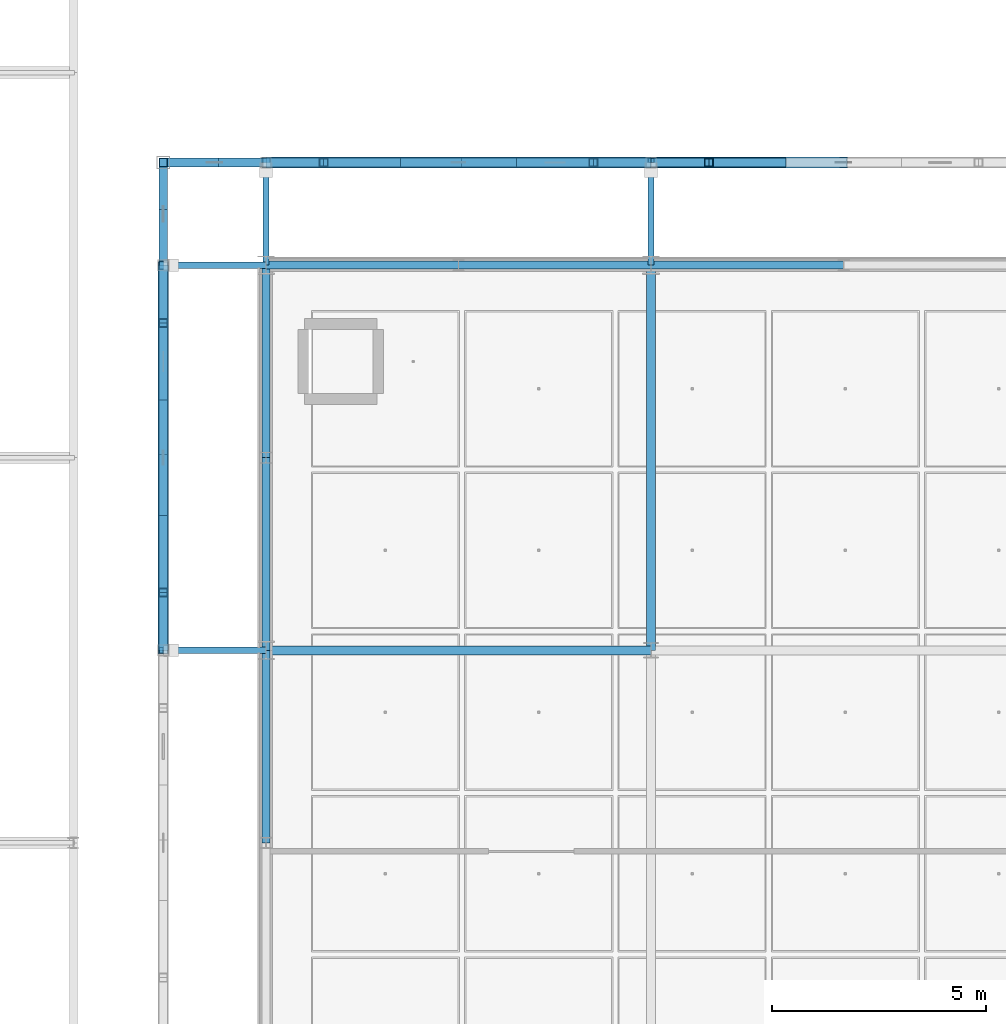
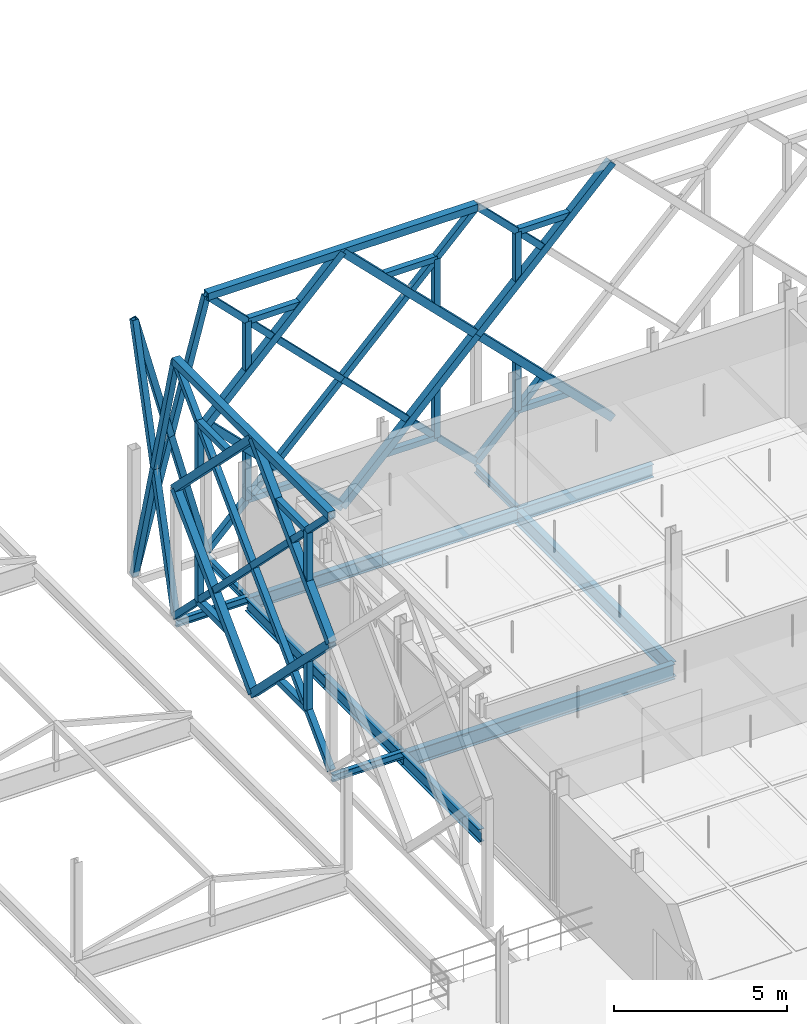
# One storey, part 27 of 140: 54 members, 12 beams.
"""IFC4 building model written with IfcOpenShell, lengths in metres."""

from ifc_helpers import new_model, si_unit, direction, frame, origin, origin_2d, place, context, subcontext, project, spatial, hollow_rectangle, i_section, extrude, material, material_profile, profile_set, type_object, element, save


model = new_model("IFC4")

# Units and contexts
model_context = context("Model", 3, precision=1e-05, world=origin(), true_north=direction((0.0, 1.0)))
body_context = subcontext(model_context, "Body", "Model", "MODEL_VIEW")
ifc_project = project(units=[si_unit("LENGTHUNIT", "METRE"), si_unit("AREAUNIT", "SQUARE_METRE"), si_unit("VOLUMEUNIT", "CUBIC_METRE"), si_unit("PLANEANGLEUNIT", "RADIAN"), si_unit("MASSUNIT", "GRAM", prefix="KILO"), si_unit("THERMODYNAMICTEMPERATUREUNIT", "KELVIN"), si_unit("POWERUNIT", "WATT")], contexts=[model_context])

# Site, building, storey
site_placement = place(None, origin())
site = spatial("IfcSite", under=ifc_project, at=site_placement, CompositionType="ELEMENT")
building_placement = place(site_placement, origin())
building = spatial("IfcBuilding", under=site, at=building_placement, Name="Tallowbark Science Centre", CompositionType="ELEMENT")
storey_placement = place(building_placement, frame((0.0, 0.0, 9.89990234375)))
storey = spatial("IfcBuildingStorey", under=building, at=storey_placement, Name="L02", CompositionType="ELEMENT", Elevation=9.89990234375)

# Beams
ifc_material_1 = material(Name="White Architectural Painted Steel Grade C350L0 (350 MPa)", Category="steel")
ifc_material_profile_1 = material_profile(ifc_material_1, i_section(OverallWidth=0.146484375, OverallDepth=0.256103515625, WebThickness=0.00634765625, FlangeThickness=0.010986328125, FilletRadius=0.0087890625, at=origin_2d()), Name="250UB37.3")
ifc_profile_set_1 = profile_set([ifc_material_profile_1], Name="White Architectural Painted Steel Grade C350L0 (350 MPa)")
beam_type_1 = type_object("IfcBeamType", Name="BM-OUT250", PredefinedType="BEAM", material=ifc_profile_set_1)
for number, where, z_axis, x_axis, name in (
    (1, (58.5, 40.5, -0.25), (0.0, 1.0, 0.0), (-1.0, 0.0, 0.0), "Star Screen Outrigger Tie Beam N-20"),
    (2, (67.5, 40.5, -0.25), (0.0, 1.0, 0.0), (-1.0, 0.0, 0.0), "Star Screen Outrigger Tie Beam N-22"),
    (3, (58.5, 31.5, -0.25), (-1.0, 0.0, 0.0), (0.0, -1.0, 0.0), "Star Screen Outrigger Tie Beam W-34"),
    (4, (58.5, 40.5, -0.25), (-1.0, 0.0, 0.0), (0.0, -1.0, 0.0), "Star Screen Outrigger Tie Beam W-36"),
):
    element("IfcBeam", number, at=place(storey_placement, frame(where, z_axis=z_axis, x_axis=x_axis)), inside=storey, type_object=beam_type_1, Name=name, PredefinedType="BEAM", context=body_context, shape_type="SweptSolid", body=[
        extrude(i_section(OverallWidth=0.146484375, OverallDepth=0.256103515625, WebThickness=0.00634765625, FlangeThickness=0.010986328125, FilletRadius=0.0087890625, at=origin_2d()), origin(), (0.0, 0.0, 1.0), 2.39990234375),
    ])
ifc_material_2 = material(Name="Structural Steel Grade 300PLUS (300 MPa)", Category="steel")
ifc_material_profile_2 = material_profile(ifc_material_2, i_section(OverallWidth=0.208984375, OverallDepth=0.532958984375, WebThickness=0.01025390625, FlangeThickness=0.015625, FilletRadius=0.013916015625, at=origin_2d()), Name="530UB92.4")
ifc_profile_set_2 = profile_set([ifc_material_profile_2], Name="Structural Steel Grade 300PLUS (300 MPa)")
beam_type_2 = type_object("IfcBeamType", Name="BM-UB530A", PredefinedType="BEAM", material=ifc_profile_set_2)
beam_1_placement = place(storey_placement, frame((58.5, 31.5, -0.4462890625), z_axis=(1.0, 0.0, 0.0), x_axis=(0.0, 1.0, 0.0)))
element("IfcBeam", 5, at=beam_1_placement, inside=storey, type_object=beam_type_2, Name="Primary Girder GRDX-L02-585-675-315", PredefinedType="BEAM", context=body_context, shape_type="SweptSolid", body=[
    extrude(i_section(OverallWidth=0.208984375, OverallDepth=0.532958984375, WebThickness=0.01025390625, FlangeThickness=0.015625, FilletRadius=0.013916015625, at=origin_2d()), origin(), (0.0, 0.0, 1.0), 9.0),
])
ifc_material_profile_3 = material_profile(ifc_material_2, i_section(OverallWidth=0.208740234375, OverallDepth=0.5283203125, WebThickness=0.009521484375, FlangeThickness=0.01318359375, FilletRadius=0.013916015625, at=origin_2d()), Name="530UB82.0")
ifc_profile_set_3 = profile_set([ifc_material_profile_3], Name="Structural Steel Grade 300PLUS (300 MPa)")
beam_type_3 = type_object("IfcBeamType", Name="BM-UB530B", PredefinedType="BEAM", material=ifc_profile_set_3)
beam_2_placement = place(storey_placement, frame((67.5, 31.5, -0.444091796875), z_axis=(0.0, 1.0, 0.0), x_axis=(-1.0, 0.0, 0.0)))
element("IfcBeam", 6, at=beam_2_placement, inside=storey, type_object=beam_type_3, Name="Primary Girder GRDY-L02-675-315-405", PredefinedType="BEAM", context=body_context, shape_type="SweptSolid", body=[
    extrude(i_section(OverallWidth=0.208740234375, OverallDepth=0.5283203125, WebThickness=0.009521484375, FlangeThickness=0.01318359375, FilletRadius=0.013916015625, at=origin_2d()), origin(), (0.0, 0.0, 1.0), 9.0),
])

# Members
ifc_material_profile_4 = material_profile(ifc_material_1, hollow_rectangle(XDim=0.25, YDim=0.25, WallThickness=0.009033203125, at=origin_2d()), Name="250x250x9.0SHS")
ifc_profile_set_4 = profile_set([ifc_material_profile_4], Name="White Architectural Painted Steel Grade C350L0 (350 MPa)")
member_type_1 = type_object("IfcMemberType", Name="SCR-CHD200", PredefinedType="CHORD", material=ifc_profile_set_4)
member_1_placement = place(storey_placement, frame((58.5, 42.89990234375, 9.0), z_axis=(1.0, 0.0, 0.0), x_axis=(0.0, 1.0, 0.0)))
element("IfcMember", 7, at=member_1_placement, inside=storey, type_object=member_type_1, Name="Star Screen Frame Chord N-18", PredefinedType="CHORD", context=body_context, shape_type="SweptSolid", body=[
    extrude(hollow_rectangle(XDim=0.25, YDim=0.25, WallThickness=0.009033203125, at=origin_2d()), origin(), (0.0, 0.0, 1.0), 9.0),
])
for number, where, z_axis, x_axis, name in (
    (8, (63.0, 42.89990234375, 0.0), (0.707106781187, 0.0, 0.707106781187), (0.0, 1.0, 0.0), "Star Screen Octagram Diamond Chord N-18-1"),
    (9, (67.5, 42.89990234375, 4.5), (-0.707106781187, 0.0, 0.707106781187), (0.0, -1.0, 0.0), "Star Screen Octagram Diamond Chord N-18-2"),
    (10, (63.0, 42.89990234375, 9.0), (-0.707106781187, 0.0, -0.707106781187), (0.0, -1.0, 0.0), "Star Screen Octagram Diamond Chord N-18-3"),
    (11, (58.5, 42.89990234375, 4.5), (0.707106781187, 0.0, -0.707106781187), (0.0, 1.0, 0.0), "Star Screen Octagram Diamond Chord N-18-4"),
    (12, (72.0, 42.89990234375, 9.0), (-0.707106781187, 0.0, -0.707106781187), (0.0, -1.0, 0.0), "Star Screen Octagram Diamond Chord N-20-3"),
    (13, (67.5, 42.89990234375, 4.5), (0.707106781187, 0.0, -0.707106781187), (0.0, 1.0, 0.0), "Star Screen Octagram Diamond Chord N-20-4"),
):
    element("IfcMember", number, at=place(storey_placement, frame(where, z_axis=z_axis, x_axis=x_axis)), inside=storey, type_object=member_type_1, Name=name, PredefinedType="CHORD", context=body_context, shape_type="SweptSolid", body=[
        extrude(hollow_rectangle(XDim=0.25, YDim=0.25, WallThickness=0.009033203125, at=origin_2d()), origin(), (0.0, 0.0, 1.0), 6.364013671875),
    ])
member_2_placement = place(storey_placement, frame((56.10009765625, 31.5, 9.0), z_axis=(0.0, 1.0, 0.0), x_axis=(-1.0, 0.0, 0.0)))
element("IfcMember", 14, at=member_2_placement, inside=storey, type_object=member_type_1, Name="Star Screen Frame Chord W-34", PredefinedType="CHORD", context=body_context, shape_type="SweptSolid", body=[
    extrude(hollow_rectangle(XDim=0.25, YDim=0.25, WallThickness=0.009033203125, at=origin_2d()), origin(), (0.0, 0.0, 1.0), 9.0),
])
for number, where, z_axis, x_axis, name in (
    (15, (56.10009765625, 36.0, 0.0), (0.0, 0.707106781187, 0.707106781187), (-1.0, 0.0, 0.0), "Star Screen Octagram Diamond Chord W-34-1"),
    (16, (56.10009765625, 40.5, 4.5), (0.0, -0.707106781187, 0.707106781187), (1.0, 0.0, 0.0), "Star Screen Octagram Diamond Chord W-34-2"),
    (17, (56.10009765625, 36.0, 9.0), (0.0, -0.707106781187, -0.707106781187), (1.0, 0.0, 0.0), "Star Screen Octagram Diamond Chord W-34-3"),
    (18, (56.10009765625, 31.5, 4.5), (0.0, 0.707106781187, -0.707106781187), (-1.0, 0.0, 0.0), "Star Screen Octagram Diamond Chord W-34-4"),
):
    element("IfcMember", number, at=place(storey_placement, frame(where, z_axis=z_axis, x_axis=x_axis)), inside=storey, type_object=member_type_1, Name=name, PredefinedType="CHORD", context=body_context, shape_type="SweptSolid", body=[
        extrude(hollow_rectangle(XDim=0.25, YDim=0.25, WallThickness=0.009033203125, at=origin_2d()), origin(), (0.0, 0.0, 1.0), 6.364013671875),
    ])
ifc_material_profile_5 = material_profile(ifc_material_1, hollow_rectangle(XDim=0.199951171875, YDim=0.199951171875, WallThickness=0.009033203125, at=origin_2d()), Name="200x200x9.0SHS")
ifc_profile_set_5 = profile_set([ifc_material_profile_5], Name="White Architectural Painted Steel Grade C350L0 (350 MPa)")
member_type_2 = type_object("IfcMemberType", Name="SCR-STAR139", PredefinedType="BRACE", material=ifc_profile_set_5)
member_3_placement = place(storey_placement, frame((58.5, 42.89990234375, 0.0), z_axis=(0.707106781187, 0.0, 0.707106781187), x_axis=(0.0, 1.0, 0.0)))
element("IfcMember", 19, at=member_3_placement, inside=storey, type_object=member_type_2, Name="Star Screen Continuous X-Diagonal D1A N-18", PredefinedType="BRACE", context=body_context, shape_type="SweptSolid", body=[
    extrude(hollow_rectangle(XDim=0.199951171875, YDim=0.199951171875, WallThickness=0.009033203125, at=origin_2d()), origin(), (0.0, 0.0, 1.0), 3.181884765625),
])
member_4_placement = place(storey_placement, frame((60.75, 42.89990234375, 2.25), z_axis=(0.707106781187, 0.0, 0.707106781187), x_axis=(0.0, 1.0, 0.0)))
element("IfcMember", 20, at=member_4_placement, inside=storey, type_object=member_type_2, Name="Star Screen Continuous X-Diagonal D1M N-18", PredefinedType="BRACE", context=body_context, shape_type="SweptSolid", body=[
    extrude(hollow_rectangle(XDim=0.199951171875, YDim=0.199951171875, WallThickness=0.009033203125, at=origin_2d()), origin(), (0.0, 0.0, 1.0), 6.364013671875),
])
for number, where, z_axis, x_axis, name in (
    (21, (65.25, 42.89990234375, 6.75), (0.707106781187, 0.0, 0.707106781187), (0.0, 1.0, 0.0), "Star Screen Continuous X-Diagonal D1B N-18"),
    (22, (58.5, 42.89990234375, 9.0), (0.707106781187, 0.0, -0.707106781187), (0.0, 1.0, 0.0), "Star Screen Split X-Diagonal D2A N-18"),
    (23, (60.75, 42.89990234375, 6.75), (0.707106781187, 0.0, -0.707106781187), (0.0, 1.0, 0.0), "Star Screen Split X-Diagonal D2B N-18"),
    (24, (63.0, 42.89990234375, 4.5), (0.707106781187, 0.0, -0.707106781187), (0.0, 1.0, 0.0), "Star Screen Split X-Diagonal D2C N-18"),
    (25, (65.25, 42.89990234375, 2.25), (0.707106781187, 0.0, -0.707106781187), (0.0, 1.0, 0.0), "Star Screen Split X-Diagonal D2D N-18"),
    (26, (67.5, 42.89990234375, 0.0), (0.707106781187, 0.0, 0.707106781187), (0.0, 1.0, 0.0), "Star Screen Continuous X-Diagonal D1A N-20"),
    (27, (67.5, 42.89990234375, 9.0), (0.707106781187, 0.0, -0.707106781187), (0.0, 1.0, 0.0), "Star Screen Split X-Diagonal D2A N-20"),
    (28, (56.10009765625, 31.5, 0.0), (0.0, 0.707106781187, 0.707106781187), (-1.0, 0.0, 0.0), "Star Screen Continuous X-Diagonal D1A W-34"),
):
    element("IfcMember", number, at=place(storey_placement, frame(where, z_axis=z_axis, x_axis=x_axis)), inside=storey, type_object=member_type_2, Name=name, PredefinedType="BRACE", context=body_context, shape_type="SweptSolid", body=[
        extrude(hollow_rectangle(XDim=0.199951171875, YDim=0.199951171875, WallThickness=0.009033203125, at=origin_2d()), origin(), (0.0, 0.0, 1.0), 3.181884765625),
    ])
member_5_placement = place(storey_placement, frame((56.10009765625, 33.75, 2.25), z_axis=(0.0, 0.707106781187, 0.707106781187), x_axis=(-1.0, 0.0, 0.0)))
element("IfcMember", 29, at=member_5_placement, inside=storey, type_object=member_type_2, Name="Star Screen Continuous X-Diagonal D1M W-34", PredefinedType="BRACE", context=body_context, shape_type="SweptSolid", body=[
    extrude(hollow_rectangle(XDim=0.199951171875, YDim=0.199951171875, WallThickness=0.009033203125, at=origin_2d()), origin(), (0.0, 0.0, 1.0), 6.364013671875),
])
for number, where, z_axis, x_axis, name in (
    (30, (56.10009765625, 38.25, 6.75), (0.0, 0.707106781187, 0.707106781187), (-1.0, 0.0, 0.0), "Star Screen Continuous X-Diagonal D1B W-34"),
    (31, (56.10009765625, 31.5, 9.0), (0.0, 0.707106781187, -0.707106781187), (-1.0, 0.0, 0.0), "Star Screen Split X-Diagonal D2A W-34"),
    (32, (56.10009765625, 33.75, 6.75), (0.0, 0.707106781187, -0.707106781187), (-1.0, 0.0, 0.0), "Star Screen Split X-Diagonal D2B W-34"),
    (33, (56.10009765625, 36.0, 4.5), (0.0, 0.707106781187, -0.707106781187), (-1.0, 0.0, 0.0), "Star Screen Split X-Diagonal D2C W-34"),
    (34, (56.10009765625, 38.25, 2.25), (0.0, 0.707106781187, -0.707106781187), (-1.0, 0.0, 0.0), "Star Screen Split X-Diagonal D2D W-34"),
):
    element("IfcMember", number, at=place(storey_placement, frame(where, z_axis=z_axis, x_axis=x_axis)), inside=storey, type_object=member_type_2, Name=name, PredefinedType="BRACE", context=body_context, shape_type="SweptSolid", body=[
        extrude(hollow_rectangle(XDim=0.199951171875, YDim=0.199951171875, WallThickness=0.009033203125, at=origin_2d()), origin(), (0.0, 0.0, 1.0), 3.181884765625),
    ])
member_6_placement = place(storey_placement, frame((56.10009765625, 42.89990234375, 0.0), z_axis=(0.257652862255, 0.0, 0.966237549763), x_axis=(0.0, 1.0, 0.0)))
element("IfcMember", 35, at=member_6_placement, inside=storey, type_object=member_type_2, Name="Star Screen Corner Continuous Diagonal NWX-L02", PredefinedType="BRACE", context=body_context, shape_type="SweptSolid", body=[
    extrude(hollow_rectangle(XDim=0.199951171875, YDim=0.199951171875, WallThickness=0.009033203125, at=origin_2d()), origin(), (0.0, 0.0, 1.0), 9.314453125),
])
for number, where, z_axis, x_axis, name in (
    (36, (58.5, 42.89990234375, 0.0), (-0.257652862255, 0.0, 0.966237549763), (0.0, -1.0, 0.0), "Star Screen Corner Split Diagonal A NWX-L02"),
    (37, (57.300048828125, 42.89990234375, 4.5), (-0.257652862255, 0.0, 0.966237549763), (0.0, -1.0, 0.0), "Star Screen Corner Split Diagonal B NWX-L02"),
):
    element("IfcMember", number, at=place(storey_placement, frame(where, z_axis=z_axis, x_axis=x_axis)), inside=storey, type_object=member_type_2, Name=name, PredefinedType="BRACE", context=body_context, shape_type="SweptSolid", body=[
        extrude(hollow_rectangle(XDim=0.199951171875, YDim=0.199951171875, WallThickness=0.009033203125, at=origin_2d()), origin(), (0.0, 0.0, 1.0), 4.6572265625),
    ])
member_7_placement = place(storey_placement, frame((56.10009765625, 40.5, 0.0), z_axis=(0.0, 0.257652862255, 0.966237549763), x_axis=(-1.0, 0.0, 0.0)))
element("IfcMember", 38, at=member_7_placement, inside=storey, type_object=member_type_2, Name="Star Screen Corner Continuous Diagonal NWY-L02", PredefinedType="BRACE", context=body_context, shape_type="SweptSolid", body=[
    extrude(hollow_rectangle(XDim=0.199951171875, YDim=0.199951171875, WallThickness=0.009033203125, at=origin_2d()), origin(), (0.0, 0.0, 1.0), 9.314453125),
])
for number, where, z_axis, x_axis, name in (
    (39, (56.10009765625, 42.89990234375, 0.0), (0.0, -0.257652862255, 0.966237549763), (1.0, 0.0, 0.0), "Star Screen Corner Split Diagonal A NWY-L02"),
    (40, (56.10009765625, 41.699951171875, 4.5), (0.0, -0.257652862255, 0.966237549763), (1.0, 0.0, 0.0), "Star Screen Corner Split Diagonal B NWY-L02"),
):
    element("IfcMember", number, at=place(storey_placement, frame(where, z_axis=z_axis, x_axis=x_axis)), inside=storey, type_object=member_type_2, Name=name, PredefinedType="BRACE", context=body_context, shape_type="SweptSolid", body=[
        extrude(hollow_rectangle(XDim=0.199951171875, YDim=0.199951171875, WallThickness=0.009033203125, at=origin_2d()), origin(), (0.0, 0.0, 1.0), 4.6572265625),
    ])
ifc_material_profile_6 = material_profile(ifc_material_1, hollow_rectangle(XDim=0.199951171875, YDim=0.199951171875, WallThickness=0.009033203125, at=origin_2d()), Name="200x200x9.0SHS")
ifc_profile_set_6 = profile_set([ifc_material_profile_6], Name="White Architectural Painted Steel Grade C350L0 (350 MPa)")
member_type_3 = type_object("IfcMemberType", Name="SCR-SUB150", PredefinedType="BRACE", material=ifc_profile_set_6)
member_8_placement = place(storey_placement, frame((59.85009765625, 42.89990234375, 1.35009765625), z_axis=(1.0, 0.0, 0.0), x_axis=(0.0, 1.0, 0.0)))
element("IfcMember", 41, at=member_8_placement, inside=storey, type_object=member_type_3, Name="Star Screen Octagram Point Ray N-18-1", PredefinedType="BRACE", context=body_context, shape_type="SweptSolid", body=[
    extrude(hollow_rectangle(XDim=0.199951171875, YDim=0.199951171875, WallThickness=0.009033203125, at=origin_2d()), origin(), (0.0, 0.0, 1.0), 1.7998046875),
])
member_9_placement = place(storey_placement, frame((59.85009765625, 42.89990234375, 1.35009765625), z_axis=(0.0, 0.0, 1.0), x_axis=(1.0, 0.0, 0.0)))
element("IfcMember", 42, at=member_9_placement, inside=storey, type_object=member_type_3, Name="Star Screen Octagram Point Ray N-18-2", PredefinedType="BRACE", context=body_context, shape_type="SweptSolid", body=[
    extrude(hollow_rectangle(XDim=0.199951171875, YDim=0.199951171875, WallThickness=0.009033203125, at=origin_2d()), origin(), (0.0, 0.0, 1.0), 1.800048828125),
])
member_10_placement = place(storey_placement, frame((66.14990234375, 42.89990234375, 1.35009765625), z_axis=(-1.0, 0.0, 0.0), x_axis=(0.0, -1.0, 0.0)))
element("IfcMember", 43, at=member_10_placement, inside=storey, type_object=member_type_3, Name="Star Screen Octagram Point Ray N-18-3", PredefinedType="BRACE", context=body_context, shape_type="SweptSolid", body=[
    extrude(hollow_rectangle(XDim=0.199951171875, YDim=0.199951171875, WallThickness=0.009033203125, at=origin_2d()), origin(), (0.0, 0.0, 1.0), 1.7998046875),
])
member_11_placement = place(storey_placement, frame((66.14990234375, 42.89990234375, 1.35009765625), z_axis=(0.0, 0.0, 1.0), x_axis=(1.0, 0.0, 0.0)))
element("IfcMember", 44, at=member_11_placement, inside=storey, type_object=member_type_3, Name="Star Screen Octagram Point Ray N-18-4", PredefinedType="BRACE", context=body_context, shape_type="SweptSolid", body=[
    extrude(hollow_rectangle(XDim=0.199951171875, YDim=0.199951171875, WallThickness=0.009033203125, at=origin_2d()), origin(), (0.0, 0.0, 1.0), 1.800048828125),
])
member_12_placement = place(storey_placement, frame((66.14990234375, 42.89990234375, 7.650146484375), z_axis=(-1.0, 0.0, 0.0), x_axis=(0.0, -1.0, 0.0)))
element("IfcMember", 45, at=member_12_placement, inside=storey, type_object=member_type_3, Name="Star Screen Octagram Point Ray N-18-5", PredefinedType="BRACE", context=body_context, shape_type="SweptSolid", body=[
    extrude(hollow_rectangle(XDim=0.199951171875, YDim=0.199951171875, WallThickness=0.009033203125, at=origin_2d()), origin(), (0.0, 0.0, 1.0), 1.7998046875),
])
member_13_placement = place(storey_placement, frame((66.14990234375, 42.89990234375, 7.650146484375), z_axis=(0.0, 0.0, -1.0), x_axis=(1.0, 0.0, 0.0)))
element("IfcMember", 46, at=member_13_placement, inside=storey, type_object=member_type_3, Name="Star Screen Octagram Point Ray N-18-6", PredefinedType="BRACE", context=body_context, shape_type="SweptSolid", body=[
    extrude(hollow_rectangle(XDim=0.199951171875, YDim=0.199951171875, WallThickness=0.009033203125, at=origin_2d()), origin(), (0.0, 0.0, 1.0), 1.800048828125),
])
member_14_placement = place(storey_placement, frame((59.85009765625, 42.89990234375, 7.650146484375), z_axis=(1.0, 0.0, 0.0), x_axis=(0.0, 1.0, 0.0)))
element("IfcMember", 47, at=member_14_placement, inside=storey, type_object=member_type_3, Name="Star Screen Octagram Point Ray N-18-7", PredefinedType="BRACE", context=body_context, shape_type="SweptSolid", body=[
    extrude(hollow_rectangle(XDim=0.199951171875, YDim=0.199951171875, WallThickness=0.009033203125, at=origin_2d()), origin(), (0.0, 0.0, 1.0), 1.7998046875),
])
member_15_placement = place(storey_placement, frame((59.85009765625, 42.89990234375, 7.650146484375), z_axis=(0.0, 0.0, -1.0), x_axis=(1.0, 0.0, 0.0)))
element("IfcMember", 48, at=member_15_placement, inside=storey, type_object=member_type_3, Name="Star Screen Octagram Point Ray N-18-8", PredefinedType="BRACE", context=body_context, shape_type="SweptSolid", body=[
    extrude(hollow_rectangle(XDim=0.199951171875, YDim=0.199951171875, WallThickness=0.009033203125, at=origin_2d()), origin(), (0.0, 0.0, 1.0), 1.800048828125),
])
member_16_placement = place(storey_placement, frame((68.85009765625, 42.89990234375, 1.35009765625), z_axis=(1.0, 0.0, 0.0), x_axis=(0.0, 1.0, 0.0)))
element("IfcMember", 49, at=member_16_placement, inside=storey, type_object=member_type_3, Name="Star Screen Octagram Point Ray N-20-1", PredefinedType="BRACE", context=body_context, shape_type="SweptSolid", body=[
    extrude(hollow_rectangle(XDim=0.199951171875, YDim=0.199951171875, WallThickness=0.009033203125, at=origin_2d()), origin(), (0.0, 0.0, 1.0), 1.7998046875),
])
member_17_placement = place(storey_placement, frame((68.85009765625, 42.89990234375, 1.35009765625), z_axis=(0.0, 0.0, 1.0), x_axis=(1.0, 0.0, 0.0)))
element("IfcMember", 50, at=member_17_placement, inside=storey, type_object=member_type_3, Name="Star Screen Octagram Point Ray N-20-2", PredefinedType="BRACE", context=body_context, shape_type="SweptSolid", body=[
    extrude(hollow_rectangle(XDim=0.199951171875, YDim=0.199951171875, WallThickness=0.009033203125, at=origin_2d()), origin(), (0.0, 0.0, 1.0), 1.800048828125),
])
member_18_placement = place(storey_placement, frame((68.85009765625, 42.89990234375, 7.650146484375), z_axis=(1.0, 0.0, 0.0), x_axis=(0.0, 1.0, 0.0)))
element("IfcMember", 51, at=member_18_placement, inside=storey, type_object=member_type_3, Name="Star Screen Octagram Point Ray N-20-7", PredefinedType="BRACE", context=body_context, shape_type="SweptSolid", body=[
    extrude(hollow_rectangle(XDim=0.199951171875, YDim=0.199951171875, WallThickness=0.009033203125, at=origin_2d()), origin(), (0.0, 0.0, 1.0), 1.7998046875),
])
member_19_placement = place(storey_placement, frame((68.85009765625, 42.89990234375, 7.650146484375), z_axis=(0.0, 0.0, -1.0), x_axis=(1.0, 0.0, 0.0)))
element("IfcMember", 52, at=member_19_placement, inside=storey, type_object=member_type_3, Name="Star Screen Octagram Point Ray N-20-8", PredefinedType="BRACE", context=body_context, shape_type="SweptSolid", body=[
    extrude(hollow_rectangle(XDim=0.199951171875, YDim=0.199951171875, WallThickness=0.009033203125, at=origin_2d()), origin(), (0.0, 0.0, 1.0), 1.800048828125),
])
member_20_placement = place(storey_placement, frame((56.10009765625, 32.85009765625, 1.35009765625), z_axis=(0.0, 1.0, 0.0), x_axis=(-1.0, 0.0, 0.0)))
element("IfcMember", 53, at=member_20_placement, inside=storey, type_object=member_type_3, Name="Star Screen Octagram Point Ray W-34-1", PredefinedType="BRACE", context=body_context, shape_type="SweptSolid", body=[
    extrude(hollow_rectangle(XDim=0.199951171875, YDim=0.199951171875, WallThickness=0.009033203125, at=origin_2d()), origin(), (0.0, 0.0, 1.0), 1.7998046875),
])
member_21_placement = place(storey_placement, frame((56.10009765625, 32.85009765625, 1.35009765625), z_axis=(0.0, 0.0, 1.0), x_axis=(1.0, 0.0, 0.0)))
element("IfcMember", 54, at=member_21_placement, inside=storey, type_object=member_type_3, Name="Star Screen Octagram Point Ray W-34-2", PredefinedType="BRACE", context=body_context, shape_type="SweptSolid", body=[
    extrude(hollow_rectangle(XDim=0.199951171875, YDim=0.199951171875, WallThickness=0.009033203125, at=origin_2d()), origin(), (0.0, 0.0, 1.0), 1.800048828125),
])
member_22_placement = place(storey_placement, frame((56.10009765625, 39.14990234375, 1.35009765625), z_axis=(0.0, -1.0, 0.0), x_axis=(1.0, 0.0, 0.0)))
element("IfcMember", 55, at=member_22_placement, inside=storey, type_object=member_type_3, Name="Star Screen Octagram Point Ray W-34-3", PredefinedType="BRACE", context=body_context, shape_type="SweptSolid", body=[
    extrude(hollow_rectangle(XDim=0.199951171875, YDim=0.199951171875, WallThickness=0.009033203125, at=origin_2d()), origin(), (0.0, 0.0, 1.0), 1.7998046875),
])
member_23_placement = place(storey_placement, frame((56.10009765625, 39.14990234375, 1.35009765625), z_axis=(0.0, 0.0, 1.0), x_axis=(1.0, 0.0, 0.0)))
element("IfcMember", 56, at=member_23_placement, inside=storey, type_object=member_type_3, Name="Star Screen Octagram Point Ray W-34-4", PredefinedType="BRACE", context=body_context, shape_type="SweptSolid", body=[
    extrude(hollow_rectangle(XDim=0.199951171875, YDim=0.199951171875, WallThickness=0.009033203125, at=origin_2d()), origin(), (0.0, 0.0, 1.0), 1.800048828125),
])
member_24_placement = place(storey_placement, frame((56.10009765625, 39.14990234375, 7.650146484375), z_axis=(0.0, -1.0, 0.0), x_axis=(1.0, 0.0, 0.0)))
element("IfcMember", 57, at=member_24_placement, inside=storey, type_object=member_type_3, Name="Star Screen Octagram Point Ray W-34-5", PredefinedType="BRACE", context=body_context, shape_type="SweptSolid", body=[
    extrude(hollow_rectangle(XDim=0.199951171875, YDim=0.199951171875, WallThickness=0.009033203125, at=origin_2d()), origin(), (0.0, 0.0, 1.0), 1.7998046875),
])
member_25_placement = place(storey_placement, frame((56.10009765625, 39.14990234375, 7.650146484375), z_axis=(0.0, 0.0, -1.0), x_axis=(1.0, 0.0, 0.0)))
element("IfcMember", 58, at=member_25_placement, inside=storey, type_object=member_type_3, Name="Star Screen Octagram Point Ray W-34-6", PredefinedType="BRACE", context=body_context, shape_type="SweptSolid", body=[
    extrude(hollow_rectangle(XDim=0.199951171875, YDim=0.199951171875, WallThickness=0.009033203125, at=origin_2d()), origin(), (0.0, 0.0, 1.0), 1.800048828125),
])
member_26_placement = place(storey_placement, frame((56.10009765625, 32.85009765625, 7.650146484375), z_axis=(0.0, 1.0, 0.0), x_axis=(-1.0, 0.0, 0.0)))
element("IfcMember", 59, at=member_26_placement, inside=storey, type_object=member_type_3, Name="Star Screen Octagram Point Ray W-34-7", PredefinedType="BRACE", context=body_context, shape_type="SweptSolid", body=[
    extrude(hollow_rectangle(XDim=0.199951171875, YDim=0.199951171875, WallThickness=0.009033203125, at=origin_2d()), origin(), (0.0, 0.0, 1.0), 1.7998046875),
])
member_27_placement = place(storey_placement, frame((56.10009765625, 32.85009765625, 7.650146484375), z_axis=(0.0, 0.0, -1.0), x_axis=(1.0, 0.0, 0.0)))
element("IfcMember", 60, at=member_27_placement, inside=storey, type_object=member_type_3, Name="Star Screen Octagram Point Ray W-34-8", PredefinedType="BRACE", context=body_context, shape_type="SweptSolid", body=[
    extrude(hollow_rectangle(XDim=0.199951171875, YDim=0.199951171875, WallThickness=0.009033203125, at=origin_2d()), origin(), (0.0, 0.0, 1.0), 1.800048828125),
])

# Beams
ifc_material_profile_7 = material_profile(ifc_material_2, i_section(OverallWidth=0.18994140625, OverallDepth=0.453857421875, WebThickness=0.008544921875, FlangeThickness=0.0126953125, FilletRadius=0.011474609375, at=origin_2d()), Name="460UB67.1")
ifc_profile_set_7 = profile_set([ifc_material_profile_7], Name="Structural Steel Grade 300PLUS (300 MPa)")
beam_type_4 = type_object("IfcBeamType", Name="SPN-UB460", PredefinedType="SPANDREL", material=ifc_profile_set_7)
for number, where, z_axis, x_axis, name in (
    (61, (58.5, 40.5, -0.40673828125), (1.0, 0.0, 0.0), (0.0, 1.0, 0.0), "Primary Girder GRDX-L02-585-630-405"),
    (62, (63.0, 40.5, -0.40673828125), (1.0, 0.0, 0.0), (0.0, 1.0, 0.0), "Primary Girder GRDX-L02-630-675-405"),
    (63, (67.5, 40.5, -0.40673828125), (1.0, 0.0, 0.0), (0.0, 1.0, 0.0), "Primary Girder GRDX-L02-675-720-405"),
    (64, (58.5, 27.0, -0.40673828125), (0.0, 1.0, 0.0), (-1.0, 0.0, 0.0), "Primary Girder GRDY-L02-585-270-315"),
    (65, (58.5, 31.5, -0.40673828125), (0.0, 1.0, 0.0), (-1.0, 0.0, 0.0), "Primary Girder GRDY-L02-585-315-360"),
    (66, (58.5, 36.0, -0.40673828125), (0.0, 1.0, 0.0), (-1.0, 0.0, 0.0), "Primary Girder GRDY-L02-585-360-405"),
):
    element("IfcBeam", number, at=place(storey_placement, frame(where, z_axis=z_axis, x_axis=x_axis)), inside=storey, type_object=beam_type_4, Name=name, PredefinedType="SPANDREL", context=body_context, shape_type="SweptSolid", body=[
        extrude(i_section(OverallWidth=0.18994140625, OverallDepth=0.453857421875, WebThickness=0.008544921875, FlangeThickness=0.0126953125, FilletRadius=0.011474609375, at=origin_2d()), origin(), (0.0, 0.0, 1.0), 4.5),
    ])

save(model, "model.ifc")
